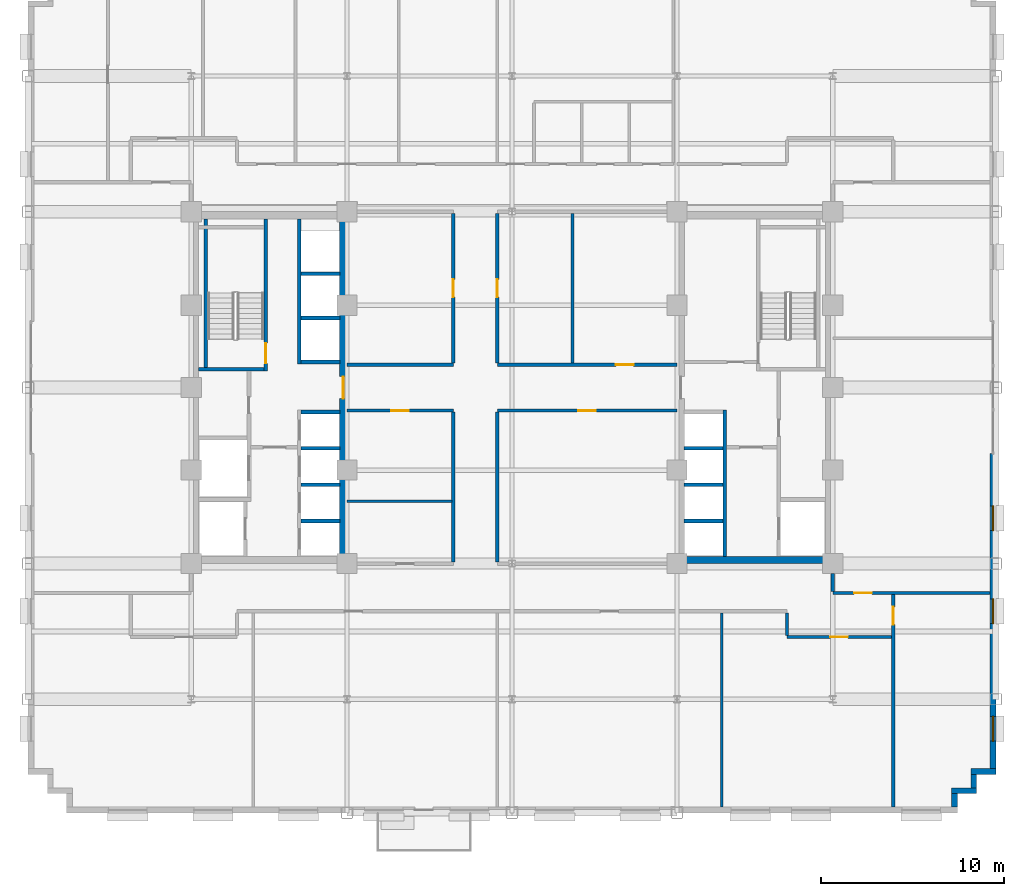
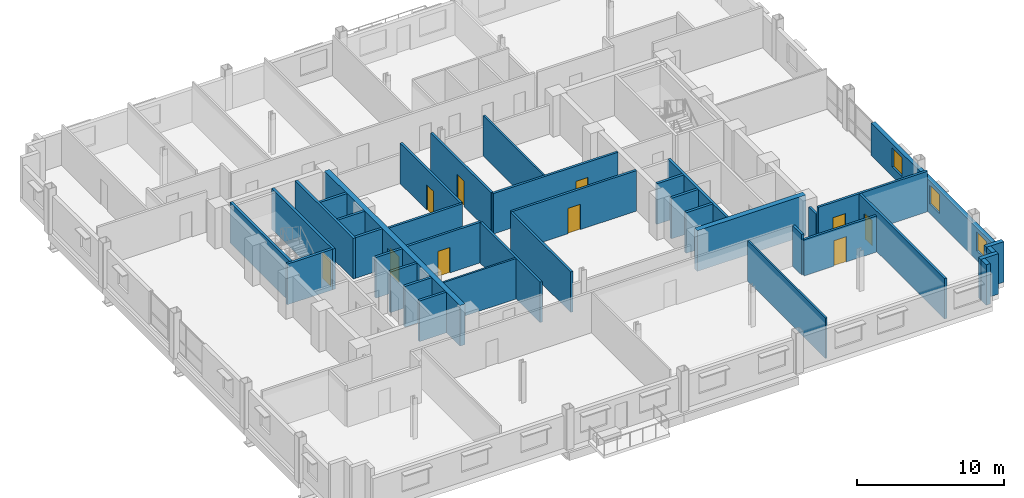
# One storey, part 7 of 16: 38 walls, 10 doors, 3 windows, 13 openings.
"""IFC4 building model written with IfcOpenShell, lengths in metres."""

from ifc_helpers import new_model, si_unit, direction, frame, frame_2d, origin, place, context, subcontext, project, spatial, rectangle, extrude, source, transform, mapped, material, layer, layer_set, type_object, type_shapes, element, fill, save


model = new_model("IFC4")

# Units and contexts
model_context = context("Model", 3, precision=1e-05, world=origin(), true_north=direction((0.0, 1.0)))
body_context = subcontext(model_context, "Body", "Model", "MODEL_VIEW")
ifc_project = project(units=[si_unit("LENGTHUNIT", "METRE"), si_unit("AREAUNIT", "SQUARE_METRE"), si_unit("VOLUMEUNIT", "CUBIC_METRE"), si_unit("PLANEANGLEUNIT", "RADIAN"), si_unit("MASSUNIT", "GRAM", prefix="KILO")], contexts=[model_context])

# Site, building, storey
site_placement = place(None, origin())
site = spatial("IfcSite", under=ifc_project, at=site_placement, CompositionType="ELEMENT")
building_placement = place(site_placement, origin())
building = spatial("IfcBuilding", under=site, at=building_placement, Name="Nuvemarco Arch Tower", CompositionType="ELEMENT")
storey_placement = place(building_placement, frame((0.0, 0.0, 116.550048828125)))
storey = spatial("IfcBuildingStorey", under=building, at=storey_placement, Name="L30", CompositionType="ELEMENT", Elevation=116.550048828125)

# Walls
ifc_material_1 = material(Name="Precast concrete C45/55", Category="concrete")
ifc_layer_1 = layer(ifc_material_1, 0.320068359375, Name="EW-MID-320")
ifc_layer_set_1 = layer_set([ifc_layer_1], Name="Precast concrete C45/55")
wall_type_1 = type_object("IfcWallType", Name="EW-MID-320", PredefinedType="STANDARD", material=ifc_layer_set_1)
wall_1_placement = place(storey_placement, frame((24.139892578125, -22.884033203125, 0.0), z_axis=(0.0, 0.0, 1.0), x_axis=(0.0, 1.0, 0.0)))
element("IfcWall", 1, at=wall_1_placement, inside=storey, type_object=wall_type_1, Name="L30 exterior precast facade wall 2", PredefinedType="STANDARD", context=body_context, shape_type="SweptSolid", body=[
    extrude(rectangle(XDim=0.738037109375, YDim=0.320068359375, at=frame_2d((0.369140625, 0.0))), origin(), (0.0, 0.0, 1.0), 3.35986328125),
])
wall_2_placement = place(storey_placement, frame((23.97998046875, -21.989990234375, 0.0), z_axis=(0.0, 0.0, 1.0), x_axis=(1.0, 0.0, 0.0)))
element("IfcWall", 2, at=wall_2_placement, inside=storey, type_object=wall_type_1, Name="L30 exterior precast facade wall 3", PredefinedType="STANDARD", context=body_context, shape_type="SweptSolid", body=[
    extrude(rectangle(XDim=1.3701171875, YDim=0.320068359375, at=frame_2d((0.68505859375, 0.0))), origin(), (0.0, 0.0, 1.0), 3.35986328125),
])
wall_3_placement = place(storey_placement, frame((25.18994140625, -21.833984375, 0.0), z_axis=(0.0, 0.0, 1.0), x_axis=(0.0, 1.0, 0.0)))
element("IfcWall", 3, at=wall_3_placement, inside=storey, type_object=wall_type_1, Name="L30 exterior precast facade wall 4", PredefinedType="STANDARD", context=body_context, shape_type="SweptSolid", body=[
    extrude(rectangle(XDim=0.738037109375, YDim=0.320068359375, at=frame_2d((0.369140625, 0.0))), origin(), (0.0, 0.0, 1.0), 3.35986328125),
])
wall_4_placement = place(storey_placement, frame((25.030029296875, -20.93994140625, 0.0), z_axis=(0.0, 0.0, 1.0), x_axis=(1.0, 0.0, 0.0)))
element("IfcWall", 4, at=wall_4_placement, inside=storey, type_object=wall_type_1, Name="L30 exterior precast facade wall 5", PredefinedType="STANDARD", context=body_context, shape_type="SweptSolid", body=[
    extrude(rectangle(XDim=1.369873046875, YDim=0.320068359375, at=frame_2d((0.68505859375, 0.0))), origin(), (0.0, 0.0, 1.0), 3.35986328125),
])

# Wall, openings, windows
wall_5_placement = place(storey_placement, frame((26.239990234375, -20.783935546875, 0.0), z_axis=(0.0, 0.0, 1.0), x_axis=(0.0, 1.0, 0.0)))
wall_5 = element("IfcWall", 5, at=wall_5_placement, inside=storey, type_object=wall_type_1, Name="L30 exterior precast pier wall east left", PredefinedType="STANDARD", context=body_context, shape_type="SweptSolid", body=[
    extrude(rectangle(XDim=17.183837890625, YDim=0.320068359375, at=frame_2d((8.591796875, 0.0))), origin(), (0.0, 0.0, 1.0), 2.704833984375),
])
opening_1_placement = place(wall_5_placement, frame((1.505615234375, 0.0, 0.800048828125)))
opening_1 = element("IfcOpeningElement", 6, at=opening_1_placement, cuts=wall_5, Name="Opening WN-6", PredefinedType="OPENING", context=body_context, shape_type="SweptSolid", body=[
    extrude(rectangle(XDim=1.35009765625, YDim=1.56005859375, at=frame_2d((0.675048828125, 0.780029296875))), frame((0.0, 0.169921875, 0.0), z_axis=(0.0, -1.0, 0.0), x_axis=(1.0, 0.0, 0.0)), (0.0, 0.0, 1.0), 0.340087890625),
])
opening_2_placement = place(wall_5_placement, frame((7.9169921875, 0.0, 0.800048828125)))
opening_2 = element("IfcOpeningElement", 7, at=opening_2_placement, cuts=wall_5, Name="Opening WN-6", PredefinedType="OPENING", context=body_context, shape_type="SweptSolid", body=[
    extrude(rectangle(XDim=1.35009765625, YDim=1.56005859375, at=frame_2d((0.675048828125, 0.780029296875))), frame((0.0, 0.169921875, 0.0), z_axis=(0.0, -1.0, 0.0), x_axis=(1.0, 0.0, 0.0)), (0.0, 0.0, 1.0), 0.340087890625),
])
opening_3_placement = place(wall_5_placement, frame((12.978271484375, 0.0, 0.800048828125)))
opening_3 = element("IfcOpeningElement", 8, at=opening_3_placement, cuts=wall_5, Name="Opening WN-6", PredefinedType="OPENING", context=body_context, shape_type="SweptSolid", body=[
    extrude(rectangle(XDim=1.35009765625, YDim=1.56005859375, at=frame_2d((0.675048828125, 0.780029296875))), frame((0.0, 0.169921875, 0.0), z_axis=(0.0, -1.0, 0.0), x_axis=(1.0, 0.0, 0.0)), (0.0, 0.0, 1.0), 0.340087890625),
])
ifc_material_2 = material(Name="Insulated solar-control glass", Category="glass")
window_type = type_object("IfcWindowType", Name="WN-MID-1350x1560", PartitioningType="SINGLE_PANEL", PredefinedType="WINDOW", material=ifc_material_2)
shared_shape_1 = source(origin(), body_context, "Body", "SweptSolid", [
    extrude(rectangle(XDim=1.35009765625, YDim=1.56005859375, at=frame_2d((0.675048828125, 0.780029296875))), frame((0.0, 0.030029296875, 0.0), z_axis=(0.0, -1.0, 0.0), x_axis=(1.0, 0.0, 0.0)), (0.0, 0.0, 1.0), 0.06005859375),
])
type_shapes(window_type, [shared_shape_1])
window_1_placement = place(opening_1_placement, origin())
window_1 = element("IfcWindow", 9, at=window_1_placement, inside=storey, type_object=window_type, Name="L30 punched facade window 1", OverallHeight=1.56005859375, OverallWidth=1.35009765625, PartitioningType="SINGLE_PANEL", PredefinedType="WINDOW", context=body_context, shape_type="MappedRepresentation", body=[
    mapped(shared_shape_1, transform((0.0, 0.0, 0.0), scale=1.0)),
])
fill(opening_1, window_1)
window_2_placement = place(opening_2_placement, origin())
window_2 = element("IfcWindow", 10, at=window_2_placement, inside=storey, type_object=window_type, Name="L30 punched facade window 2", OverallHeight=1.56005859375, OverallWidth=1.35009765625, PartitioningType="SINGLE_PANEL", PredefinedType="WINDOW", context=body_context, shape_type="MappedRepresentation", body=[
    mapped(shared_shape_1, transform((0.0, 0.0, 0.0), scale=1.0)),
])
fill(opening_2, window_2)
window_3_placement = place(opening_3_placement, origin())
window_3 = element("IfcWindow", 11, at=window_3_placement, inside=storey, type_object=window_type, Name="L30 punched facade window 3", OverallHeight=1.56005859375, OverallWidth=1.35009765625, PartitioningType="SINGLE_PANEL", PredefinedType="WINDOW", context=body_context, shape_type="MappedRepresentation", body=[
    mapped(shared_shape_1, transform((0.0, 0.0, 0.0), scale=1.0)),
])
fill(opening_3, window_3)

# Wall, opening, door
ifc_material_3 = material(Name="Concrete C60/75", Category="concrete")
ifc_layer_2 = layer(ifc_material_3, 0.39990234375, Name="WL-CORE-400")
ifc_layer_set_2 = layer_set([ifc_layer_2], Name="Concrete C60/75")
wall_type_2 = type_object("IfcWallType", Name="WL-CORE-400", PredefinedType="SHEAR", material=ifc_layer_set_2)
wall_6_placement = place(storey_placement, frame((-9.199951171875, -9.205078125, 0.0), z_axis=(0.0, 0.0, 1.0), x_axis=(0.0, 1.0, 0.0)))
wall_6 = element("IfcWall", 12, at=wall_6_placement, inside=storey, type_object=wall_type_2, Name="L30 W-core shear wall E", PredefinedType="SHEAR", context=body_context, shape_type="SweptSolid", body=[
    extrude(rectangle(XDim=18.41015625, YDim=0.39990234375, at=frame_2d((9.205078125, 0.0))), origin(), (0.0, 0.0, 1.0), 3.369873046875),
])
opening_4_placement = place(wall_6_placement, frame((8.60498046875, 0.0, 0.0)))
opening_4 = element("IfcOpeningElement", 13, at=opening_4_placement, cuts=wall_6, Name="Opening FD-2", PredefinedType="OPENING", context=body_context, shape_type="SweptSolid", body=[
    extrude(rectangle(XDim=1.199951171875, YDim=2.14990234375, at=frame_2d((0.60009765625, 1.074951171875))), frame((0.0, 0.2099609375, 0.0), z_axis=(0.0, -1.0, 0.0), x_axis=(1.0, 0.0, 0.0)), (0.0, 0.0, 1.0), 0.419921875),
])
ifc_material_4 = material(Name="Anodised steel fire door", Category="steel")
door_type_1 = type_object("IfcDoorType", Name="DR-FFLOB-FD", OperationType="NOTDEFINED", PredefinedType="DOOR", material=ifc_material_4)
shared_shape_2 = source(origin(), body_context, "Body", "SweptSolid", [
    extrude(rectangle(XDim=1.199951171875, YDim=2.14990234375, at=frame_2d((0.60009765625, 1.074951171875))), frame((0.0, 0.02490234375, 0.0), z_axis=(0.0, -1.0, 0.0), x_axis=(1.0, 0.0, 0.0)), (0.0, 0.0, 1.0), 0.050048828125),
])
type_shapes(door_type_1, [shared_shape_2])
door_1_placement = place(opening_4_placement, origin())
door_1 = element("IfcDoor", 14, at=door_1_placement, inside=storey, type_object=door_type_1, Name="L30 door FD-L30-WCORE-E", OperationType="SINGLE_SWING_RIGHT", OverallHeight=2.14990234375, OverallWidth=1.199951171875, PredefinedType="DOOR", context=body_context, shape_type="MappedRepresentation", body=[
    mapped(shared_shape_2, transform((0.0, 0.0, 0.0), scale=1.0)),
])
fill(opening_4, door_1)

# Wall
wall_7_placement = place(storey_placement, frame((9.0, -9.39990234375, 0.0), z_axis=(0.0, 0.0, 1.0), x_axis=(1.0, 0.0, 0.0)))
element("IfcWall", 15, at=wall_7_placement, inside=storey, type_object=wall_type_2, Name="L30 E-core shear wall S", PredefinedType="SHEAR", context=body_context, shape_type="SweptSolid", body=[
    extrude(rectangle(XDim=8.5, YDim=0.39990234375, at=frame_2d((4.25, 0.0))), origin(), (0.0, 0.0, 1.0), 3.369873046875),
])

# Wall, opening, door
ifc_material_5 = material(Name="Fire-rated gypsum drywall partition")
ifc_layer_3 = layer(ifc_material_5, 0.179931640625, Name="WL-CORR-180")
ifc_layer_set_3 = layer_set([ifc_layer_3], Name="Fire-rated gypsum drywall partition")
wall_type_3 = type_object("IfcWallType", Name="WL-CORR-180", PredefinedType="PARTITIONING", material=ifc_layer_set_3)
wall_8_placement = place(storey_placement, frame((15.0, -13.60009765625, 0.0), z_axis=(0.0, 0.0, 1.0), x_axis=(1.0, 0.0, 0.0)))
wall_8 = element("IfcWall", 16, at=wall_8_placement, inside=storey, type_object=wall_type_3, Name="L30 interior wall IW-L30-002", PredefinedType="PARTITIONING", context=body_context, shape_type="SweptSolid", body=[
    extrude(rectangle(XDim=5.68994140625, YDim=0.179931640625, at=frame_2d((2.844970703125, 0.0))), origin(), (0.0, 0.0, 1.0), 2.998046875),
])
opening_5_placement = place(wall_8_placement, frame((2.364990234375, 0.0, 0.0)))
opening_5 = element("IfcOpeningElement", 17, at=opening_5_placement, cuts=wall_8, Name="Opening FD-5", PredefinedType="OPENING", context=body_context, shape_type="SweptSolid", body=[
    extrude(rectangle(XDim=0.9599609375, YDim=2.10009765625, at=frame_2d((0.47998046875, 1.050048828125))), frame((0.0, 0.099853515625, 0.0), z_axis=(0.0, -1.0, 0.0), x_axis=(1.0, 0.0, 0.0)), (0.0, 0.0, 1.0), 0.199951171875),
])
ifc_material_6 = material(Name="Timber fire door", Category="wood")
door_type_2 = type_object("IfcDoorType", Name="DR-CORR-FD", OperationType="NOTDEFINED", PredefinedType="DOOR", material=ifc_material_6)
shared_shape_3 = source(origin(), body_context, "Body", "SweptSolid", [
    extrude(rectangle(XDim=0.9599609375, YDim=2.10009765625, at=frame_2d((0.47998046875, 1.050048828125))), frame((0.0, 0.02490234375, 0.0), z_axis=(0.0, -1.0, 0.0), x_axis=(1.0, 0.0, 0.0)), (0.0, 0.0, 1.0), 0.050048828125),
])
type_shapes(door_type_2, [shared_shape_3])
door_2_placement = place(opening_5_placement, origin())
door_2 = element("IfcDoor", 18, at=door_2_placement, inside=storey, type_object=door_type_2, Name="L30 door DR-L30-S_4", OperationType="SINGLE_SWING_RIGHT", OverallHeight=2.10009765625, OverallWidth=0.9599609375, PredefinedType="DOOR", context=body_context, shape_type="MappedRepresentation", body=[
    mapped(shared_shape_3, transform((0.0, 0.0, 0.0), scale=1.0)),
])
fill(opening_5, door_2)

wall_9_placement = place(storey_placement, frame((17.5, -11.199951171875, 0.0), z_axis=(0.0, 0.0, 1.0), x_axis=(1.0, 0.0, 0.0)))
wall_9 = element("IfcWall", 19, at=wall_9_placement, inside=storey, type_object=wall_type_3, Name="L30 interior wall IW-L30-005", PredefinedType="PARTITIONING", context=body_context, shape_type="SweptSolid", body=[
    extrude(rectangle(XDim=8.580078125, YDim=0.179931640625, at=frame_2d((4.2900390625, 0.0))), origin(), (0.0, 0.0, 1.0), 3.35986328125),
])
opening_6_placement = place(wall_9_placement, frame((1.169921875, 0.0, 0.0)))
opening_6 = element("IfcOpeningElement", 20, at=opening_6_placement, cuts=wall_9, Name="Opening FD-5", PredefinedType="OPENING", context=body_context, shape_type="SweptSolid", body=[
    extrude(rectangle(XDim=0.9599609375, YDim=2.10009765625, at=frame_2d((0.47998046875, 1.050048828125))), frame((0.0, 0.099853515625, 0.0), z_axis=(0.0, -1.0, 0.0), x_axis=(1.0, 0.0, 0.0)), (0.0, 0.0, 1.0), 0.199951171875),
])
door_3_placement = place(opening_6_placement, origin())
door_3 = element("IfcDoor", 21, at=door_3_placement, inside=storey, type_object=door_type_2, Name="L30 door DR-L30-E_1", OperationType="SINGLE_SWING_LEFT", OverallHeight=2.10009765625, OverallWidth=0.9599609375, PredefinedType="DOOR", context=body_context, shape_type="MappedRepresentation", body=[
    mapped(shared_shape_3, transform((0.0, 0.0, 0.0), scale=1.0)),
])
fill(opening_6, door_3)

wall_10_placement = place(storey_placement, frame((-9.0, -1.25, 0.0), z_axis=(0.0, 0.0, 1.0), x_axis=(1.0, 0.0, 0.0)))
wall_10 = element("IfcWall", 22, at=wall_10_placement, inside=storey, type_object=wall_type_3, Name="L30 interior wall IW-L30-010", PredefinedType="PARTITIONING", context=body_context, shape_type="SweptSolid", body=[
    extrude(rectangle(XDim=5.800048828125, YDim=0.179931640625, at=frame_2d((2.89990234375, 0.0))), origin(), (0.0, 0.0, 1.0), 3.35986328125),
])
opening_7_placement = place(wall_10_placement, frame((2.419921875, 0.0, 0.0)))
opening_7 = element("IfcOpeningElement", 23, at=opening_7_placement, cuts=wall_10, Name="Opening FD-5", PredefinedType="OPENING", context=body_context, shape_type="SweptSolid", body=[
    extrude(rectangle(XDim=0.9599609375, YDim=2.10009765625, at=frame_2d((0.47998046875, 1.050048828125))), frame((0.0, 0.099853515625, 0.0), z_axis=(0.0, -1.0, 0.0), x_axis=(1.0, 0.0, 0.0)), (0.0, 0.0, 1.0), 0.199951171875),
])
door_4_placement = place(opening_7_placement, origin())
door_4 = element("IfcDoor", 24, at=door_4_placement, inside=storey, type_object=door_type_2, Name="L30 door DR-L30-C_SW1", OperationType="SINGLE_SWING_RIGHT", OverallHeight=2.10009765625, OverallWidth=0.9599609375, PredefinedType="DOOR", context=body_context, shape_type="MappedRepresentation", body=[
    mapped(shared_shape_3, transform((0.0, 0.0, 0.0), scale=1.0)),
])
fill(opening_7, door_4)

wall_11_placement = place(storey_placement, frame((-0.800048828125, -1.25, 0.0), z_axis=(0.0, 0.0, 1.0), x_axis=(1.0, 0.0, 0.0)))
wall_11 = element("IfcWall", 25, at=wall_11_placement, inside=storey, type_object=wall_type_3, Name="L30 interior wall IW-L30-011", PredefinedType="PARTITIONING", context=body_context, shape_type="SweptSolid", body=[
    extrude(rectangle(XDim=9.800048828125, YDim=0.179931640625, at=frame_2d((4.89990234375, 0.0))), origin(), (0.0, 0.0, 1.0), 3.35986328125),
])
opening_8_placement = place(wall_11_placement, frame((4.419921875, 0.0, 0.0)))
opening_8 = element("IfcOpeningElement", 26, at=opening_8_placement, cuts=wall_11, Name="Opening FD-5", PredefinedType="OPENING", context=body_context, shape_type="SweptSolid", body=[
    extrude(rectangle(XDim=0.9599609375, YDim=2.10009765625, at=frame_2d((0.47998046875, 1.050048828125))), frame((0.0, 0.099853515625, 0.0), z_axis=(0.0, -1.0, 0.0), x_axis=(1.0, 0.0, 0.0)), (0.0, 0.0, 1.0), 0.199951171875),
])
door_5_placement = place(opening_8_placement, origin())
door_5 = element("IfcDoor", 27, at=door_5_placement, inside=storey, type_object=door_type_2, Name="L30 door DR-L30-C_SE", OperationType="SINGLE_SWING_LEFT", OverallHeight=2.10009765625, OverallWidth=0.9599609375, PredefinedType="DOOR", context=body_context, shape_type="MappedRepresentation", body=[
    mapped(shared_shape_3, transform((0.0, 0.0, 0.0), scale=1.0)),
])
fill(opening_8, door_5)

# Wall
wall_12_placement = place(storey_placement, frame((-9.0, 1.25, 0.0), z_axis=(0.0, 0.0, 1.0), x_axis=(1.0, 0.0, 0.0)))
element("IfcWall", 28, at=wall_12_placement, inside=storey, type_object=wall_type_3, Name="L30 interior wall IW-L30-012", PredefinedType="PARTITIONING", context=body_context, shape_type="SweptSolid", body=[
    extrude(rectangle(XDim=5.800048828125, YDim=0.179931640625, at=frame_2d((2.89990234375, 0.0))), origin(), (0.0, 0.0, 1.0), 3.35986328125),
])

# Wall, opening, door
wall_13_placement = place(storey_placement, frame((-0.800048828125, 1.25, 0.0), z_axis=(0.0, 0.0, 1.0), x_axis=(1.0, 0.0, 0.0)))
wall_13 = element("IfcWall", 29, at=wall_13_placement, inside=storey, type_object=wall_type_3, Name="L30 interior wall IW-L30-013", PredefinedType="PARTITIONING", context=body_context, shape_type="SweptSolid", body=[
    extrude(rectangle(XDim=9.800048828125, YDim=0.179931640625, at=frame_2d((4.89990234375, 0.0))), origin(), (0.0, 0.0, 1.0), 3.35986328125),
])
opening_9_placement = place(wall_13_placement, frame((6.469970703125, 0.0, 0.0)))
opening_9 = element("IfcOpeningElement", 30, at=opening_9_placement, cuts=wall_13, Name="Opening FD-5", PredefinedType="OPENING", context=body_context, shape_type="SweptSolid", body=[
    extrude(rectangle(XDim=0.9599609375, YDim=2.10009765625, at=frame_2d((0.47998046875, 1.050048828125))), frame((0.0, 0.099853515625, 0.0), z_axis=(0.0, -1.0, 0.0), x_axis=(1.0, 0.0, 0.0)), (0.0, 0.0, 1.0), 0.199951171875),
])
door_6_placement = place(opening_9_placement, origin())
door_6 = element("IfcDoor", 31, at=door_6_placement, inside=storey, type_object=door_type_2, Name="L30 door DR-L30-C_NE2", OperationType="SINGLE_SWING_LEFT", OverallHeight=2.10009765625, OverallWidth=0.9599609375, PredefinedType="DOOR", context=body_context, shape_type="MappedRepresentation", body=[
    mapped(shared_shape_3, transform((0.0, 0.0, 0.0), scale=1.0)),
])
fill(opening_9, door_6)

# Wall
wall_14_placement = place(storey_placement, frame((-3.199951171875, -9.513916015625, 0.0), z_axis=(0.0, 0.0, 1.0), x_axis=(0.0, 1.0, 0.0)))
element("IfcWall", 32, at=wall_14_placement, inside=storey, type_object=wall_type_3, Name="L30 interior wall IW-L30-036", PredefinedType="PARTITIONING", context=body_context, shape_type="SweptSolid", body=[
    extrude(rectangle(XDim=8.177978515625, YDim=0.179931640625, at=frame_2d((4.0888671875, 0.0))), origin(), (0.0, 0.0, 1.0), 3.35986328125),
])

# Wall, opening, door
wall_15_placement = place(storey_placement, frame((-3.199951171875, 1.3359375, 0.0), z_axis=(0.0, 0.0, 1.0), x_axis=(0.0, 1.0, 0.0)))
wall_15 = element("IfcWall", 33, at=wall_15_placement, inside=storey, type_object=wall_type_3, Name="L30 interior wall IW-L30-037", PredefinedType="PARTITIONING", context=body_context, shape_type="SweptSolid", body=[
    extrude(rectangle(XDim=8.177978515625, YDim=0.179931640625, at=frame_2d((4.0888671875, 0.0))), origin(), (0.0, 0.0, 1.0), 3.35986328125),
])
opening_10_placement = place(wall_15_placement, frame((3.60888671875, 0.0, 0.0)))
opening_10 = element("IfcOpeningElement", 34, at=opening_10_placement, cuts=wall_15, Name="Opening FD-5", PredefinedType="OPENING", context=body_context, shape_type="SweptSolid", body=[
    extrude(rectangle(XDim=0.9599609375, YDim=2.10009765625, at=frame_2d((0.47998046875, 1.050048828125))), frame((0.0, 0.099853515625, 0.0), z_axis=(0.0, -1.0, 0.0), x_axis=(1.0, 0.0, 0.0)), (0.0, 0.0, 1.0), 0.199951171875),
])
door_7_placement = place(opening_10_placement, origin())
door_7 = element("IfcDoor", 35, at=door_7_placement, inside=storey, type_object=door_type_2, Name="L30 door DR-L30-C_NW", OperationType="SINGLE_SWING_RIGHT", OverallHeight=2.10009765625, OverallWidth=0.9599609375, PredefinedType="DOOR", context=body_context, shape_type="MappedRepresentation", body=[
    mapped(shared_shape_3, transform((0.0, 0.0, 0.0), scale=1.0)),
])
fill(opening_10, door_7)

# Wall
wall_16_placement = place(storey_placement, frame((-0.800048828125, -9.513916015625, 0.0), z_axis=(0.0, 0.0, 1.0), x_axis=(0.0, 1.0, 0.0)))
element("IfcWall", 36, at=wall_16_placement, inside=storey, type_object=wall_type_3, Name="L30 interior wall IW-L30-039", PredefinedType="PARTITIONING", context=body_context, shape_type="SweptSolid", body=[
    extrude(rectangle(XDim=8.177978515625, YDim=0.179931640625, at=frame_2d((4.0888671875, 0.0))), origin(), (0.0, 0.0, 1.0), 3.35986328125),
])

# Wall, opening, door
wall_17_placement = place(storey_placement, frame((-0.800048828125, 1.3359375, 0.0), z_axis=(0.0, 0.0, 1.0), x_axis=(0.0, 1.0, 0.0)))
wall_17 = element("IfcWall", 37, at=wall_17_placement, inside=storey, type_object=wall_type_3, Name="L30 interior wall IW-L30-040", PredefinedType="PARTITIONING", context=body_context, shape_type="SweptSolid", body=[
    extrude(rectangle(XDim=8.177978515625, YDim=0.179931640625, at=frame_2d((4.0888671875, 0.0))), origin(), (0.0, 0.0, 1.0), 3.35986328125),
])
opening_11_placement = place(wall_17_placement, frame((3.60888671875, 0.0, 0.0)))
opening_11 = element("IfcOpeningElement", 38, at=opening_11_placement, cuts=wall_17, Name="Opening FD-5", PredefinedType="OPENING", context=body_context, shape_type="SweptSolid", body=[
    extrude(rectangle(XDim=0.9599609375, YDim=2.10009765625, at=frame_2d((0.47998046875, 1.050048828125))), frame((0.0, 0.099853515625, 0.0), z_axis=(0.0, -1.0, 0.0), x_axis=(1.0, 0.0, 0.0)), (0.0, 0.0, 1.0), 0.199951171875),
])
door_8_placement = place(opening_11_placement, origin())
door_8 = element("IfcDoor", 39, at=door_8_placement, inside=storey, type_object=door_type_2, Name="L30 door DR-L30-C_NE1", OperationType="SINGLE_SWING_LEFT", OverallHeight=2.10009765625, OverallWidth=0.9599609375, PredefinedType="DOOR", context=body_context, shape_type="MappedRepresentation", body=[
    mapped(shared_shape_3, transform((0.0, 0.0, 0.0), scale=1.0)),
])
fill(opening_11, door_8)

# Walls
wall_18_placement = place(storey_placement, frame((15.0, -13.513916015625, 0.0), z_axis=(0.0, 0.0, 1.0), x_axis=(0.0, 1.0, 0.0)))
element("IfcWall", 40, at=wall_18_placement, inside=storey, type_object=wall_type_3, Name="L30 interior wall IW-L30-049", PredefinedType="PARTITIONING", context=body_context, shape_type="SweptSolid", body=[
    extrude(rectangle(XDim=1.22802734375, YDim=0.179931640625, at=frame_2d((0.614013671875, 0.0))), origin(), (0.0, 0.0, 1.0), 3.35986328125),
])
wall_19_placement = place(storey_placement, frame((17.5, -11.114013671875, 0.0), z_axis=(0.0, 0.0, 1.0), x_axis=(0.0, 1.0, 0.0)))
element("IfcWall", 41, at=wall_19_placement, inside=storey, type_object=wall_type_3, Name="L30 interior wall IW-L30-051", PredefinedType="PARTITIONING", context=body_context, shape_type="SweptSolid", body=[
    extrude(rectangle(XDim=0.968017578125, YDim=0.179931640625, at=frame_2d((0.48388671875, 0.0))), origin(), (0.0, 0.0, 1.0), 2.738037109375),
])

# Wall, opening, door
wall_20_placement = place(storey_placement, frame((20.800048828125, -22.8798828125, 0.0), z_axis=(0.0, 0.0, 1.0), x_axis=(0.0, 1.0, 0.0)))
wall_20 = element("IfcWall", 42, at=wall_20_placement, inside=storey, type_object=wall_type_3, Name="L30 interior wall IW-L30-053", PredefinedType="PARTITIONING", context=body_context, shape_type="SweptSolid", body=[
    extrude(rectangle(XDim=11.593994140625, YDim=0.179931640625, at=frame_2d((5.796875, 0.0))), origin(), (0.0, 0.0, 1.0), 3.35986328125),
])
opening_12_placement = place(wall_20_placement, frame((9.95703125, 0.0, 0.0)))
opening_12 = element("IfcOpeningElement", 43, at=opening_12_placement, cuts=wall_20, Name="Opening FD-5", PredefinedType="OPENING", context=body_context, shape_type="SweptSolid", body=[
    extrude(rectangle(XDim=0.9599609375, YDim=2.10009765625, at=frame_2d((0.47998046875, 1.050048828125))), frame((0.0, 0.099853515625, 0.0), z_axis=(0.0, -1.0, 0.0), x_axis=(1.0, 0.0, 0.0)), (0.0, 0.0, 1.0), 0.199951171875),
])
door_9_placement = place(opening_12_placement, origin())
door_9 = element("IfcDoor", 44, at=door_9_placement, inside=storey, type_object=door_type_2, Name="L30 door DR-L30-S_5", OperationType="SINGLE_SWING_RIGHT", OverallHeight=2.10009765625, OverallWidth=0.9599609375, PredefinedType="DOOR", context=body_context, shape_type="MappedRepresentation", body=[
    mapped(shared_shape_3, transform((0.0, 0.0, 0.0), scale=1.0)),
])
fill(opening_12, door_9)

# Walls
ifc_material_7 = material(Name="Glazed acoustic office partition")
ifc_layer_4 = layer(ifc_material_7, 0.1298828125, Name="WL-EXEC-130")
ifc_layer_set_4 = layer_set([ifc_layer_4], Name="Glazed acoustic office partition")
wall_type_4 = type_object("IfcWallType", Name="WL-EXEC-130", PredefinedType="PARTITIONING", material=ifc_layer_set_4)
wall_21_placement = place(storey_placement, frame((11.43994140625, -22.8798828125, 0.0), z_axis=(0.0, 0.0, 1.0), x_axis=(0.0, 1.0, 0.0)))
element("IfcWall", 45, at=wall_21_placement, inside=storey, type_object=wall_type_4, Name="L30 interior wall IW-L30-048", PredefinedType="PARTITIONING", context=body_context, shape_type="SweptSolid", body=[
    extrude(rectangle(XDim=10.593994140625, YDim=0.1298828125, at=frame_2d((5.296875, 0.0))), origin(), (0.0, 0.0, 1.0), 3.35986328125),
])
ifc_material_8 = material(Name="Gypsum plasterboard partition")
ifc_layer_5 = layer(ifc_material_8, 0.139892578125, Name="WL-ROOM-140")
ifc_layer_set_5 = layer_set([ifc_layer_5], Name="Gypsum plasterboard partition")
wall_type_5 = type_object("IfcWallType", Name="WL-ROOM-140", PredefinedType="PARTITIONING", material=ifc_layer_set_5)
wall_22_placement = place(storey_placement, frame((-9.0, -6.199951171875, 0.0), z_axis=(0.0, 0.0, 1.0), x_axis=(1.0, 0.0, 0.0)))
element("IfcWall", 46, at=wall_22_placement, inside=storey, type_object=wall_type_5, Name="L30 interior wall IW-L30-009", PredefinedType="PARTITIONING", context=body_context, shape_type="SweptSolid", body=[
    extrude(rectangle(XDim=5.714111328125, YDim=0.139892578125, at=frame_2d((2.85693359375, 0.0))), origin(), (0.0, 0.0, 1.0), 3.35986328125),
])
wall_23_placement = place(storey_placement, frame((3.300048828125, 1.3359375, 0.0), z_axis=(0.0, 0.0, 1.0), x_axis=(0.0, 1.0, 0.0)))
element("IfcWall", 47, at=wall_23_placement, inside=storey, type_object=wall_type_5, Name="L30 interior wall IW-L30-043", PredefinedType="PARTITIONING", context=body_context, shape_type="SweptSolid", body=[
    extrude(rectangle(XDim=8.177978515625, YDim=0.139892578125, at=frame_2d((4.0888671875, 0.0))), origin(), (0.0, 0.0, 1.0), 3.35986328125),
])

# Wall, opening, door
ifc_material_9 = material(Name="Concrete C50/60", Category="concrete")
ifc_layer_6 = layer(ifc_material_9, 0.199951171875, Name="WL-SHAFT-220")
ifc_layer_set_6 = layer_set([ifc_layer_6], Name="Concrete C50/60")
wall_type_6 = type_object("IfcWallType", Name="WL-SHAFT-220", PredefinedType="SHEAR", material=ifc_layer_set_6)
wall_24_placement = place(storey_placement, frame((-13.43994140625, 0.89990234375, 0.0), z_axis=(0.0, 0.0, 1.0), x_axis=(0.0, 1.0, 0.0)))
wall_24 = element("IfcWall", 48, at=wall_24_placement, inside=storey, type_object=wall_type_6, Name="L30 structural shaft wall SW-L30-W-ST1E", PredefinedType="SHEAR", context=body_context, shape_type="SweptSolid", body=[
    extrude(rectangle(XDim=8.30517578125, YDim=0.199951171875, at=frame_2d((4.152587890625, 0.0))), origin(), (0.0, 0.0, 1.0), 3.369873046875),
])
opening_13_placement = place(wall_24_placement, frame((1.530029296875, 0.0, 0.0), z_axis=(0.0, 0.0, 1.0), x_axis=(-1.0, 0.0, 0.0)))
opening_13 = element("IfcOpeningElement", 49, at=opening_13_placement, cuts=wall_24, Name="Opening FD-1", PredefinedType="OPENING", context=body_context, shape_type="SweptSolid", body=[
    extrude(rectangle(XDim=1.10009765625, YDim=2.14990234375, at=frame_2d((0.550048828125, 1.074951171875))), frame((0.0, 0.10986328125, 0.0), z_axis=(0.0, -1.0, 0.0), x_axis=(1.0, 0.0, 0.0)), (0.0, 0.0, 1.0), 0.219970703125),
])
door_type_3 = type_object("IfcDoorType", Name="DR-STAIR-FD", OperationType="NOTDEFINED", PredefinedType="DOOR", material=ifc_material_4)
shared_shape_4 = source(origin(), body_context, "Body", "SweptSolid", [
    extrude(rectangle(XDim=1.10009765625, YDim=2.14990234375, at=frame_2d((0.550048828125, 1.074951171875))), frame((0.0, 0.02490234375, 0.0), z_axis=(0.0, -1.0, 0.0), x_axis=(1.0, 0.0, 0.0)), (0.0, 0.0, 1.0), 0.050048828125),
])
type_shapes(door_type_3, [shared_shape_4])
door_10_placement = place(opening_13_placement, origin())
door_10 = element("IfcDoor", 50, at=door_10_placement, inside=storey, type_object=door_type_3, Name="L30 door FD-L30-ST1", OperationType="SINGLE_SWING_RIGHT", OverallHeight=2.14990234375, OverallWidth=1.10009765625, PredefinedType="DOOR", context=body_context, shape_type="MappedRepresentation", body=[
    mapped(shared_shape_4, transform((0.0, 0.0, 0.0), scale=1.0)),
])
fill(opening_13, door_10)

# Walls
wall_25_placement = place(storey_placement, frame((-17.10498046875, 1.0, 0.0), z_axis=(0.0, 0.0, 1.0), x_axis=(1.0, 0.0, 0.0)))
element("IfcWall", 51, at=wall_25_placement, inside=storey, type_object=wall_type_6, Name="L30 structural shaft wall SW-L30-W-ST1S", PredefinedType="SHEAR", context=body_context, shape_type="SweptSolid", body=[
    extrude(rectangle(XDim=3.570068359375, YDim=0.199951171875, at=frame_2d((1.78515625, 0.0))), origin(), (0.0, 0.0, 1.0), 3.369873046875),
])
wall_26_placement = place(storey_placement, frame((-16.699951171875, 1.094970703125, 0.0), z_axis=(0.0, 0.0, 1.0), x_axis=(0.0, 1.0, 0.0)))
element("IfcWall", 52, at=wall_26_placement, inside=storey, type_object=wall_type_6, Name="L30 structural shaft wall SW-L30-W-ST1W", PredefinedType="SHEAR", context=body_context, shape_type="SweptSolid", body=[
    extrude(rectangle(XDim=8.110107421875, YDim=0.199951171875, at=frame_2d((4.05517578125, 0.0))), origin(), (0.0, 0.0, 1.0), 3.369873046875),
])
for number, where, z_axis, x_axis, name in (
    (53, (-11.5048828125, -7.27001953125, 0.0), (0.0, 0.0, 1.0), (1.0, 0.0, 0.0), "L30 structural shaft wall SW-L30-W-PLD1"),
    (54, (-11.5048828125, -5.2900390625, 0.0), (0.0, 0.0, 1.0), (1.0, 0.0, 0.0), "L30 structural shaft wall SW-L30-W-PLD2"),
    (55, (-11.5048828125, -3.31005859375, 0.0), (0.0, 0.0, 1.0), (1.0, 0.0, 0.0), "L30 structural shaft wall SW-L30-W-PLD3"),
    (56, (-11.5048828125, -1.330078125, 0.0), (0.0, 0.0, 1.0), (1.0, 0.0, 0.0), "L30 structural shaft wall SW-L30-W-PLD4"),
):
    element("IfcWall", number, at=place(storey_placement, frame(where, z_axis=z_axis, x_axis=x_axis)), inside=storey, type_object=wall_type_6, Name=name, PredefinedType="SHEAR", context=body_context, shape_type="SweptSolid", body=[
        extrude(rectangle(XDim=2.10986328125, YDim=0.199951171875, at=frame_2d((1.054931640625, 0.0))), origin(), (0.0, 0.0, 1.0), 3.369873046875),
    ])
wall_27_placement = place(storey_placement, frame((-11.60009765625, 1.300048828125, 0.0), z_axis=(0.0, 0.0, 1.0), x_axis=(0.0, 1.0, 0.0)))
element("IfcWall", 57, at=wall_27_placement, inside=storey, type_object=wall_type_6, Name="L30 structural shaft wall SW-L30-W-PHW", PredefinedType="SHEAR", context=body_context, shape_type="SweptSolid", body=[
    extrude(rectangle(XDim=7.905029296875, YDim=0.199951171875, at=frame_2d((3.95263671875, 0.0))), origin(), (0.0, 0.0, 1.0), 3.369873046875),
])
for number, where, z_axis, x_axis, name in (
    (58, (-11.5048828125, 1.39990234375, 0.0), (0.0, 0.0, 1.0), (1.0, 0.0, 0.0), "L30 structural shaft wall SW-L30-W-PHD1"),
    (59, (-11.5048828125, 3.800048828125, 0.0), (0.0, 0.0, 1.0), (1.0, 0.0, 0.0), "L30 structural shaft wall SW-L30-W-PHD2"),
    (60, (-11.5048828125, 6.219970703125, 0.0), (0.0, 0.0, 1.0), (1.0, 0.0, 0.0), "L30 structural shaft wall SW-L30-W-PHD3"),
):
    element("IfcWall", number, at=place(storey_placement, frame(where, z_axis=z_axis, x_axis=x_axis)), inside=storey, type_object=wall_type_6, Name=name, PredefinedType="SHEAR", context=body_context, shape_type="SweptSolid", body=[
        extrude(rectangle(XDim=2.10986328125, YDim=0.199951171875, at=frame_2d((1.054931640625, 0.0))), origin(), (0.0, 0.0, 1.0), 3.369873046875),
    ])
wall_28_placement = place(storey_placement, frame((11.60009765625, -9.205078125, 0.0), z_axis=(0.0, 0.0, 1.0), x_axis=(0.0, 1.0, 0.0)))
element("IfcWall", 61, at=wall_28_placement, inside=storey, type_object=wall_type_6, Name="L30 structural shaft wall SW-L30-E-PME", PredefinedType="SHEAR", context=body_context, shape_type="SweptSolid", body=[
    extrude(rectangle(XDim=7.97509765625, YDim=0.199951171875, at=frame_2d((3.987548828125, 0.0))), origin(), (0.0, 0.0, 1.0), 3.369873046875),
])
for number, where, z_axis, x_axis, name in (
    (62, (9.39501953125, -7.27001953125, 0.0), (0.0, 0.0, 1.0), (1.0, 0.0, 0.0), "L30 structural shaft wall SW-L30-E-PMD1"),
    (63, (9.39501953125, -5.2900390625, 0.0), (0.0, 0.0, 1.0), (1.0, 0.0, 0.0), "L30 structural shaft wall SW-L30-E-PMD2"),
    (64, (9.39501953125, -3.31005859375, 0.0), (0.0, 0.0, 1.0), (1.0, 0.0, 0.0), "L30 structural shaft wall SW-L30-E-PMD3"),
):
    element("IfcWall", number, at=place(storey_placement, frame(where, z_axis=z_axis, x_axis=x_axis)), inside=storey, type_object=wall_type_6, Name=name, PredefinedType="SHEAR", context=body_context, shape_type="SweptSolid", body=[
        extrude(rectangle(XDim=2.10986328125, YDim=0.199951171875, at=frame_2d((1.054931640625, 0.0))), origin(), (0.0, 0.0, 1.0), 3.369873046875),
    ])

save(model, "model.ifc")
